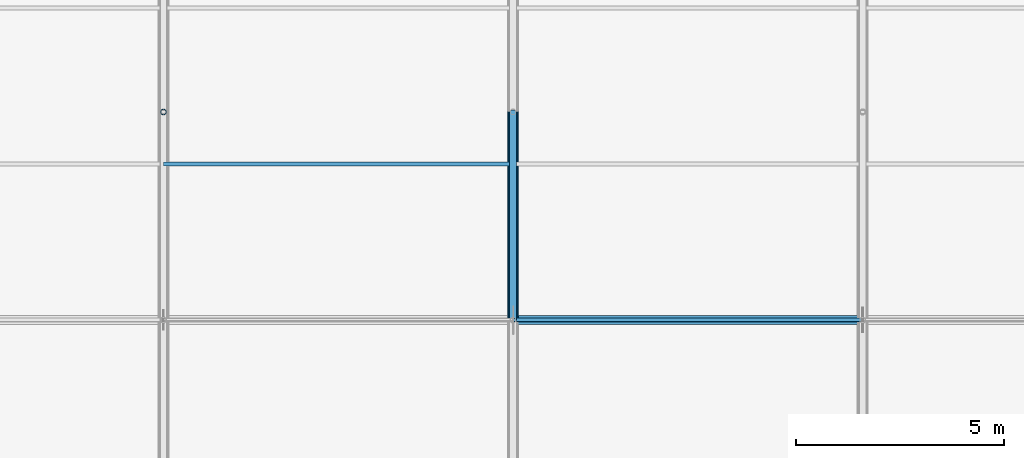
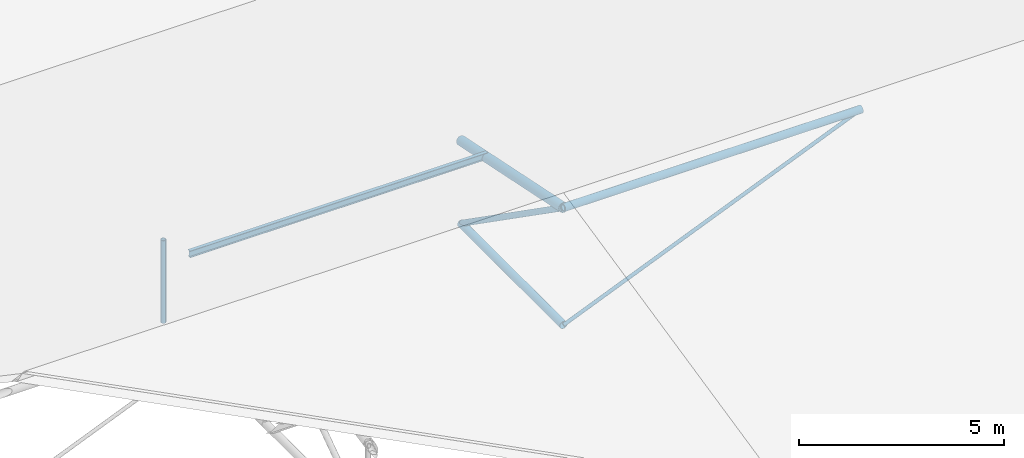
# One storey, part 37 of 194: 6 members, 1 beam.
"""IFC4 building model written with IfcOpenShell, lengths in metres."""

from ifc_helpers import new_model, si_unit, direction, frame, origin, origin_2d, place, context, subcontext, project, spatial, hollow_circle, i_section, extrude, material, material_profile, profile_set, type_object, element, save


model = new_model("IFC4")

# Units and contexts
model_context = context("Model", 3, precision=1e-05, world=origin(), true_north=direction((0.0, 1.0)))
body_context = subcontext(model_context, "Body", "Model", "MODEL_VIEW")
ifc_project = project(units=[si_unit("LENGTHUNIT", "METRE"), si_unit("AREAUNIT", "SQUARE_METRE"), si_unit("VOLUMEUNIT", "CUBIC_METRE"), si_unit("PLANEANGLEUNIT", "RADIAN"), si_unit("MASSUNIT", "GRAM", prefix="KILO")], contexts=[model_context])

# Site, building, storey
site_placement = place(None, origin())
site = spatial("IfcSite", under=ifc_project, at=site_placement, CompositionType="ELEMENT")
building_placement = place(site_placement, origin())
building = spatial("IfcBuilding", under=site, at=building_placement, Name="Kazenagashi Tramway Depot", CompositionType="ELEMENT")
storey_placement = place(building_placement, frame((0.0, 0.0, 23.7)))
storey = spatial("IfcBuildingStorey", under=building, at=storey_placement, Name="ROOF", CompositionType="ELEMENT", Elevation=23.7)

# Beam
ifc_material_1 = material(Name="Steel SN400B", Category="steel")
ifc_material_profile_1 = material_profile(ifc_material_1, i_section(OverallWidth=0.1, OverallDepth=0.2, WebThickness=0.0055, FlangeThickness=0.008, at=origin_2d()), Name="H-200x100x5.5x8")
ifc_profile_set_1 = profile_set([ifc_material_profile_1], Name="Steel SN400B")
beam_type = type_object("IfcBeamType", Name="PR-01", PredefinedType="USERDEFINED", material=ifc_profile_set_1)
beam_placement = place(storey_placement, frame((112.0, 88.75, -11.305), z_axis=(1.0, 0.0, 0.0), x_axis=(0.0, 1.0, 0.0)))
element("IfcBeam", 1, at=beam_placement, inside=storey, type_object=beam_type, Name="Beam PR-01 BM-2080", ObjectType="PURLIN", PredefinedType="USERDEFINED", context=body_context, shape_type="SweptSolid", body=[
    extrude(i_section(OverallWidth=0.1, OverallDepth=0.2, WebThickness=0.0055, FlangeThickness=0.008, at=origin_2d()), origin(), (0.0, 0.0, 1.0), 8.4),
])

# Members
ifc_material_2 = material(Name="Steel STK490", Category="steel")
ifc_material_profile_2 = material_profile(ifc_material_2, hollow_circle(Radius=0.1337, WallThickness=0.0093, at=origin_2d()), Name="CHS-267.4x9.3")
ifc_profile_set_2 = profile_set([ifc_material_profile_2], Name="Steel STK490")
member_type_1 = type_object("IfcMemberType", Name="TC-01", PredefinedType="CHORD", material=ifc_profile_set_2)
member_1_placement = place(storey_placement, frame((120.4, 85.0, -10.6), z_axis=(0.0, 0.979317999984, -0.202327098797), x_axis=(-1.0, 0.0, 0.0)))
element("IfcMember", 2, at=member_1_placement, inside=storey, type_object=member_type_1, Name="Tubular Space Frame TC-01 MEM-0559", PredefinedType="CHORD", context=body_context, shape_type="SweptSolid", body=[
    extrude(hollow_circle(Radius=0.1337, WallThickness=0.0093, at=origin_2d()), origin(), (0.0, 0.0, 1.0), 5.105594),
])
ifc_material_profile_3 = material_profile(ifc_material_2, hollow_circle(Radius=0.10815, WallThickness=0.0082, at=origin_2d()), Name="CHS-216.3x8.2")
ifc_profile_set_3 = profile_set([ifc_material_profile_3], Name="Steel STK490")
member_type_2 = type_object("IfcMemberType", Name="TC-02", PredefinedType="CHORD", material=ifc_profile_set_3)
member_2_placement = place(storey_placement, frame((120.4, 85.0, -14.1), z_axis=(0.0, 1.0, 0.0), x_axis=(-1.0, 0.0, 0.0)))
element("IfcMember", 3, at=member_2_placement, inside=storey, type_object=member_type_2, Name="Tubular Space Frame TC-02 MEM-0560", PredefinedType="CHORD", context=body_context, shape_type="SweptSolid", body=[
    extrude(hollow_circle(Radius=0.10815, WallThickness=0.0082, at=origin_2d()), origin(), (0.0, 0.0, 1.0), 5.0),
])
member_3_placement = place(storey_placement, frame((120.4, 85.0, -10.6), z_axis=(1.0, 0.0, 0.0), x_axis=(0.0, 1.0, 0.0)))
element("IfcMember", 4, at=member_3_placement, inside=storey, type_object=member_type_2, Name="Tubular Space Frame TC-02 MEM-0577", PredefinedType="CHORD", context=body_context, shape_type="SweptSolid", body=[
    extrude(hollow_circle(Radius=0.10815, WallThickness=0.0082, at=origin_2d()), origin(), (0.0, 0.0, 1.0), 8.4),
])
ifc_material_profile_4 = material_profile(ifc_material_2, hollow_circle(Radius=0.0826, WallThickness=0.0071, at=origin_2d()), Name="CHS-165.2x7.1")
ifc_profile_set_4 = profile_set([ifc_material_profile_4], Name="Steel STK490")
member_type_3 = type_object("IfcMemberType", Name="TS-01", PredefinedType="STRUT", material=ifc_profile_set_4)
member_4_placement = place(storey_placement, frame((120.4, 85.0, -10.6), z_axis=(0.0, 0.819231920519, -0.573462344363), x_axis=(-1.0, 0.0, 0.0)))
element("IfcMember", 5, at=member_4_placement, inside=storey, type_object=member_type_3, Name="Tubular Space Frame TS-01 MEM-0561", PredefinedType="STRUT", context=body_context, shape_type="SweptSolid", body=[
    extrude(hollow_circle(Radius=0.0826, WallThickness=0.0071, at=origin_2d()), origin(), (0.0, 0.0, 1.0), 6.103278),
])
ifc_material_profile_5 = material_profile(ifc_material_2, hollow_circle(Radius=0.0699, WallThickness=0.0066, at=origin_2d()), Name="CHS-139.8x6.6")
ifc_profile_set_5 = profile_set([ifc_material_profile_5], Name="Steel STK490")
member_type_4 = type_object("IfcMemberType", Name="TS-02", PredefinedType="STRUT", material=ifc_profile_set_5)
member_5_placement = place(storey_placement, frame((112.0, 90.0, -14.1), z_axis=(0.0, 0.0, 1.0), x_axis=(1.0, 0.0, 0.0)))
element("IfcMember", 6, at=member_5_placement, inside=storey, type_object=member_type_4, Name="Tubular Space Frame TS-02 MEM-0511", PredefinedType="STRUT", context=body_context, shape_type="SweptSolid", body=[
    extrude(hollow_circle(Radius=0.0699, WallThickness=0.0066, at=origin_2d()), origin(), (0.0, 0.0, 1.0), 2.467),
])
ifc_material_3 = material(Name="Steel STK400", Category="steel")
ifc_material_profile_6 = material_profile(ifc_material_3, hollow_circle(Radius=0.0508, WallThickness=0.0042, at=origin_2d()), Name="CHS-101.6x4.2")
ifc_profile_set_6 = profile_set([ifc_material_profile_6], Name="Steel STK400")
member_type_5 = type_object("IfcMemberType", Name="TS-06", PredefinedType="STRUT", material=ifc_profile_set_6)
member_6_placement = place(storey_placement, frame((120.4, 85.0, -14.1), z_axis=(0.923076923077, 0.0, 0.384615384615), x_axis=(0.0, 1.0, 0.0)))
element("IfcMember", 7, at=member_6_placement, inside=storey, type_object=member_type_5, Name="Tubular Space Frame TS-06 MEM-0578", PredefinedType="STRUT", context=body_context, shape_type="SweptSolid", body=[
    extrude(hollow_circle(Radius=0.0508, WallThickness=0.0042, at=origin_2d()), origin(), (0.0, 0.0, 1.0), 9.1),
])

save(model, "model.ifc")
